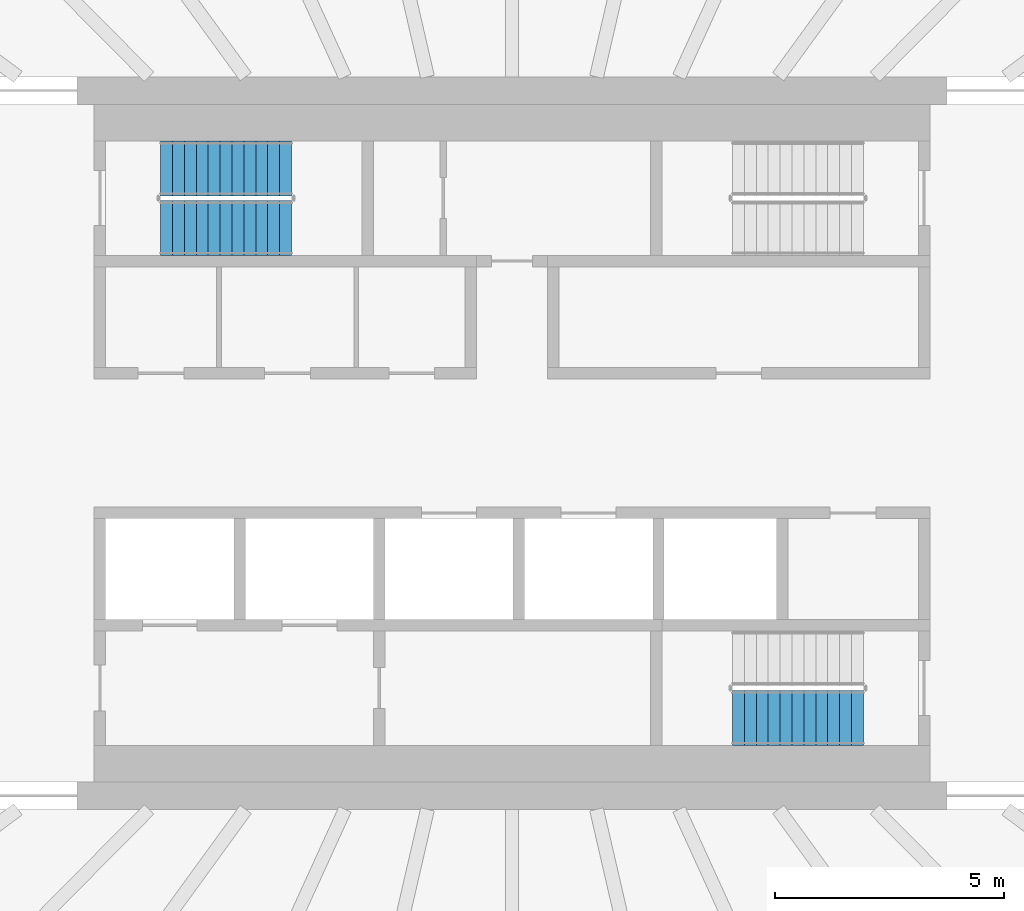
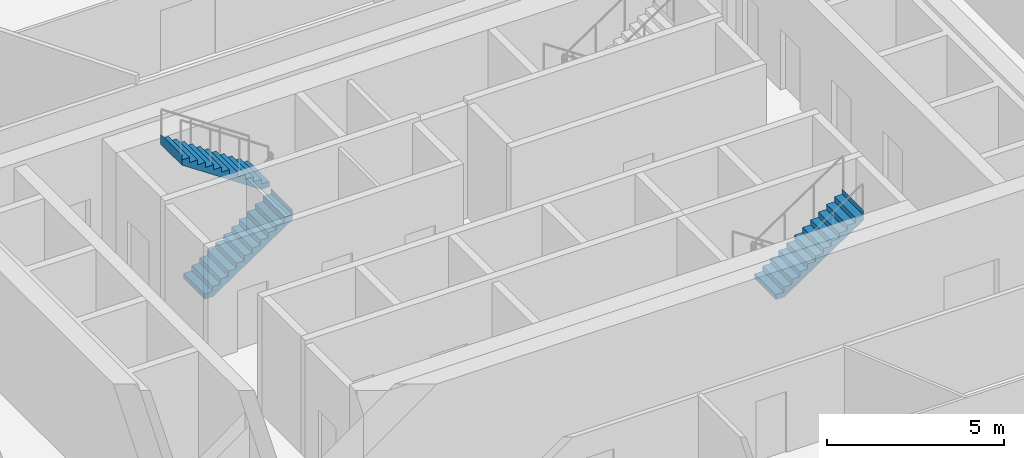
# One storey, part 18 of 25: 3 stair flights, 2 elements without a shape of their own.
"""IFC4 building model written with IfcOpenShell, lengths in metres."""

from ifc_helpers import new_model, si_unit, direction, frame, origin, place, context, subcontext, project, spatial, triangles, material, type_object, element, aggregate, save


model = new_model("IFC4")

# Units and contexts
model_context = context("Model", 3, precision=1e-05, world=origin(), true_north=direction((0.0, 1.0)))
body_context = subcontext(model_context, "Body", "Model", "MODEL_VIEW")
ifc_project = project(units=[si_unit("LENGTHUNIT", "METRE"), si_unit("AREAUNIT", "SQUARE_METRE"), si_unit("VOLUMEUNIT", "CUBIC_METRE"), si_unit("PLANEANGLEUNIT", "RADIAN"), si_unit("MASSUNIT", "GRAM", prefix="KILO")], contexts=[model_context])

# Site, building, storey
site_placement = place(None, origin())
site = spatial("IfcSite", under=ifc_project, at=site_placement, CompositionType="ELEMENT")
building_placement = place(site_placement, origin())
building = spatial("IfcBuilding", under=site, at=building_placement, Name="Sahrelin Media Tower", CompositionType="ELEMENT")
storey_placement = place(building_placement, frame((0.0, 0.0, 139.800048828125)))
storey = spatial("IfcBuildingStorey", under=building, at=storey_placement, Name="L28", CompositionType="ELEMENT", Elevation=139.800048828125)

# Stair, stair flights
ifc_material = material(Name="Concrete C40/50", Category="concrete")
stair_type = type_object("IfcStairType", Name="Exit stair 1200", PredefinedType="HALF_TURN_STAIR", material=ifc_material)
placement = place(storey_placement, origin())
stair_1 = element("IfcStair", 1, at=placement, inside=storey, type_object=stair_type, Name="L28 Exit stair ST1", PredefinedType="HALF_TURN_STAIR")
stair_flight_type = type_object("IfcStairFlightType", Name="Stair flight 1200", PredefinedType="STRAIGHT", material=ifc_material)
stair_flight_1_placement = place(storey_placement, frame((-7.675048828125, 4.699951171875, 0.0), z_axis=(0.0, 0.0, 1.0), x_axis=(1.0, 0.0, 0.0)))
stair_flight_1 = element("IfcStairFlight", 2, at=stair_flight_1_placement, type_object=stair_flight_type, Name="ST1 flight 1", NumberOfRisers=12, NumberOfTreads=11, PredefinedType="STRAIGHT", RiserHeight=0.175, TreadLength=0.26, context=body_context, shape_type="Tessellation", body=[
    triangles([(0.2685546875, 0.60009765625, 0.0), (0.2685546875, 0.300048828125, 0.0), (0.2685546875, 0.0, 0.0), (0.2685546875, -0.300048828125, 0.0), (0.2685546875, -0.60009765625, 0.0), (2.860107421875, 0.60009765625, 1.744384765625), (2.860107421875, 0.300048828125, 1.744384765625), (2.860107421875, 0.0, 1.744384765625), (2.860107421875, -0.300048828125, 1.744384765625), (2.860107421875, -0.60009765625, 1.744384765625), (2.860107421875, 0.60009765625, 2.10009765625), (2.860107421875, 0.300048828125, 2.10009765625), (2.860107421875, 0.0, 2.10009765625), (2.860107421875, -0.300048828125, 2.10009765625), (2.860107421875, -0.60009765625, 2.10009765625), (2.85791015625, 0.60009765625, 2.10009765625), (2.85791015625, 0.300048828125, 2.10009765625), (2.85791015625, 0.0, 2.10009765625), (2.85791015625, -0.300048828125, 2.10009765625), (2.85791015625, -0.60009765625, 2.10009765625), (2.85791015625, 0.60009765625, 1.925048828125), (2.85791015625, 0.300048828125, 1.925048828125), (2.85791015625, 0.0, 1.925048828125), (2.85791015625, -0.300048828125, 1.925048828125), (2.85791015625, -0.60009765625, 1.925048828125), (2.60009765625, 0.60009765625, 1.925048828125), (2.60009765625, 0.300048828125, 1.925048828125), (2.60009765625, 0.0, 1.925048828125), (2.60009765625, -0.300048828125, 1.925048828125), (2.60009765625, -0.60009765625, 1.925048828125), (2.60009765625, 0.60009765625, 1.75), (2.60009765625, 0.300048828125, 1.75), (2.60009765625, 0.0, 1.75), (2.60009765625, -0.300048828125, 1.75), (2.60009765625, -0.60009765625, 1.75), (2.340087890625, 0.60009765625, 1.75), (2.340087890625, 0.300048828125, 1.75), (2.340087890625, 0.0, 1.75), (2.340087890625, -0.300048828125, 1.75), (2.340087890625, -0.60009765625, 1.75), (2.340087890625, 0.60009765625, 1.574951171875), (2.340087890625, 0.300048828125, 1.574951171875), (2.340087890625, 0.0, 1.574951171875), (2.340087890625, -0.300048828125, 1.574951171875), (2.340087890625, -0.60009765625, 1.574951171875), (2.080078125, 0.60009765625, 1.574951171875), (2.080078125, 0.300048828125, 1.574951171875), (2.080078125, 0.0, 1.574951171875), (2.080078125, -0.300048828125, 1.574951171875), (2.080078125, -0.60009765625, 1.574951171875), (2.080078125, 0.60009765625, 1.39990234375), (2.080078125, 0.300048828125, 1.39990234375), (2.080078125, 0.0, 1.39990234375), (2.080078125, -0.300048828125, 1.39990234375), (2.080078125, -0.60009765625, 1.39990234375), (1.820068359375, 0.60009765625, 1.39990234375), (1.820068359375, 0.300048828125, 1.39990234375), (1.820068359375, 0.0, 1.39990234375), (1.820068359375, -0.300048828125, 1.39990234375), (1.820068359375, -0.60009765625, 1.39990234375), (1.820068359375, 0.60009765625, 1.22509765625), (1.820068359375, 0.300048828125, 1.22509765625), (1.820068359375, 0.0, 1.22509765625), (1.820068359375, -0.300048828125, 1.22509765625), (1.820068359375, -0.60009765625, 1.22509765625), (1.56005859375, 0.60009765625, 1.22509765625), (1.56005859375, 0.300048828125, 1.22509765625), (1.56005859375, 0.0, 1.22509765625), (1.56005859375, -0.300048828125, 1.22509765625), (1.56005859375, -0.60009765625, 1.22509765625), (1.56005859375, 0.60009765625, 1.050048828125), (1.56005859375, 0.300048828125, 1.050048828125), (1.56005859375, 0.0, 1.050048828125), (1.56005859375, -0.300048828125, 1.050048828125), (1.56005859375, -0.60009765625, 1.050048828125), (1.300048828125, 0.60009765625, 1.050048828125), (1.300048828125, 0.300048828125, 1.050048828125), (1.300048828125, 0.0, 1.050048828125), (1.300048828125, -0.300048828125, 1.050048828125), (1.300048828125, -0.60009765625, 1.050048828125), (1.300048828125, 0.60009765625, 0.875), (1.300048828125, 0.300048828125, 0.875), (1.300048828125, 0.0, 0.875), (1.300048828125, -0.300048828125, 0.875), (1.300048828125, -0.60009765625, 0.875), (1.0400390625, 0.60009765625, 0.875), (1.0400390625, 0.300048828125, 0.875), (1.0400390625, 0.0, 0.875), (1.0400390625, -0.300048828125, 0.875), (1.0400390625, -0.60009765625, 0.875), (1.0400390625, 0.60009765625, 0.699951171875), (1.0400390625, 0.300048828125, 0.699951171875), (1.0400390625, 0.0, 0.699951171875), (1.0400390625, -0.300048828125, 0.699951171875), (1.0400390625, -0.60009765625, 0.699951171875), (0.780029296875, 0.60009765625, 0.699951171875), (0.780029296875, 0.300048828125, 0.699951171875), (0.780029296875, 0.0, 0.699951171875), (0.780029296875, -0.300048828125, 0.699951171875), (0.780029296875, -0.60009765625, 0.699951171875), (0.780029296875, 0.60009765625, 0.52490234375), (0.780029296875, 0.300048828125, 0.52490234375), (0.780029296875, 0.0, 0.52490234375), (0.780029296875, -0.300048828125, 0.52490234375), (0.780029296875, -0.60009765625, 0.52490234375), (0.52001953125, 0.60009765625, 0.52490234375), (0.52001953125, 0.300048828125, 0.52490234375), (0.52001953125, 0.0, 0.52490234375), (0.52001953125, -0.300048828125, 0.52490234375), (0.52001953125, -0.60009765625, 0.52490234375), (0.52001953125, 0.60009765625, 0.35009765625), (0.52001953125, 0.300048828125, 0.35009765625), (0.52001953125, 0.0, 0.35009765625), (0.52001953125, -0.300048828125, 0.35009765625), (0.52001953125, -0.60009765625, 0.35009765625), (0.260009765625, 0.60009765625, 0.35009765625), (0.260009765625, 0.300048828125, 0.35009765625), (0.260009765625, 0.0, 0.35009765625), (0.260009765625, -0.300048828125, 0.35009765625), (0.260009765625, -0.60009765625, 0.35009765625), (0.260009765625, 0.60009765625, 0.175048828125), (0.260009765625, 0.300048828125, 0.175048828125), (0.260009765625, 0.0, 0.175048828125), (0.260009765625, -0.300048828125, 0.175048828125), (0.260009765625, -0.60009765625, 0.175048828125), (0.0, 0.60009765625, 0.175048828125), (0.0, 0.300048828125, 0.175048828125), (0.0, 0.0, 0.175048828125), (0.0, -0.300048828125, 0.175048828125), (0.0, -0.60009765625, 0.175048828125), (0.0, 0.60009765625, 0.0), (0.0, 0.300048828125, 0.0), (0.0, 0.0, 0.0), (0.0, -0.300048828125, 0.0), (0.0, -0.60009765625, 0.0)], [[1, 6, 7], [1, 7, 2], [2, 7, 8], [2, 8, 3], [3, 8, 9], [3, 9, 4], [4, 9, 10], [4, 10, 5], [6, 11, 12], [6, 12, 7], [7, 12, 13], [7, 13, 8], [8, 13, 14], [8, 14, 9], [9, 14, 15], [9, 15, 10], [11, 16, 17], [11, 17, 12], [12, 17, 18], [12, 18, 13], [13, 18, 19], [13, 19, 14], [14, 19, 20], [14, 20, 15], [16, 21, 22], [16, 22, 17], [17, 22, 23], [17, 23, 18], [18, 23, 24], [18, 24, 19], [19, 24, 25], [19, 25, 20], [21, 26, 27], [21, 27, 22], [22, 27, 28], [22, 28, 23], [23, 28, 29], [23, 29, 24], [24, 29, 30], [24, 30, 25], [26, 31, 32], [26, 32, 27], [27, 32, 33], [27, 33, 28], [28, 33, 34], [28, 34, 29], [29, 34, 35], [29, 35, 30], [31, 36, 37], [31, 37, 32], [32, 37, 38], [32, 38, 33], [33, 38, 39], [33, 39, 34], [34, 39, 40], [34, 40, 35], [36, 41, 42], [36, 42, 37], [37, 42, 43], [37, 43, 38], [38, 43, 44], [38, 44, 39], [39, 44, 45], [39, 45, 40], [41, 46, 47], [41, 47, 42], [42, 47, 48], [42, 48, 43], [43, 48, 49], [43, 49, 44], [44, 49, 50], [44, 50, 45], [46, 51, 52], [46, 52, 47], [47, 52, 53], [47, 53, 48], [48, 53, 54], [48, 54, 49], [49, 54, 55], [49, 55, 50], [51, 56, 57], [51, 57, 52], [52, 57, 58], [52, 58, 53], [53, 58, 59], [53, 59, 54], [54, 59, 60], [54, 60, 55], [56, 61, 62], [56, 62, 57], [57, 62, 63], [57, 63, 58], [58, 63, 64], [58, 64, 59], [59, 64, 65], [59, 65, 60], [61, 66, 67], [61, 67, 62], [62, 67, 68], [62, 68, 63], [63, 68, 69], [63, 69, 64], [64, 69, 70], [64, 70, 65], [66, 71, 72], [66, 72, 67], [67, 72, 73], [67, 73, 68], [68, 73, 74], [68, 74, 69], [69, 74, 75], [69, 75, 70], [71, 76, 77], [71, 77, 72], [72, 77, 78], [72, 78, 73], [73, 78, 79], [73, 79, 74], [74, 79, 80], [74, 80, 75], [76, 81, 82], [76, 82, 77], [77, 82, 83], [77, 83, 78], [78, 83, 84], [78, 84, 79], [79, 84, 85], [79, 85, 80], [81, 86, 87], [81, 87, 82], [82, 87, 88], [82, 88, 83], [83, 88, 89], [83, 89, 84], [84, 89, 90], [84, 90, 85], [86, 91, 92], [86, 92, 87], [87, 92, 93], [87, 93, 88], [88, 93, 94], [88, 94, 89], [89, 94, 95], [89, 95, 90], [91, 96, 97], [91, 97, 92], [92, 97, 98], [92, 98, 93], [93, 98, 99], [93, 99, 94], [94, 99, 100], [94, 100, 95], [96, 101, 102], [96, 102, 97], [97, 102, 103], [97, 103, 98], [98, 103, 104], [98, 104, 99], [99, 104, 105], [99, 105, 100], [101, 106, 107], [101, 107, 102], [102, 107, 108], [102, 108, 103], [103, 108, 109], [103, 109, 104], [104, 109, 110], [104, 110, 105], [106, 111, 112], [106, 112, 107], [107, 112, 113], [107, 113, 108], [108, 113, 114], [108, 114, 109], [109, 114, 115], [109, 115, 110], [111, 116, 117], [111, 117, 112], [112, 117, 118], [112, 118, 113], [113, 118, 119], [113, 119, 114], [114, 119, 120], [114, 120, 115], [116, 121, 122], [116, 122, 117], [117, 122, 123], [117, 123, 118], [118, 123, 124], [118, 124, 119], [119, 124, 125], [119, 125, 120], [121, 126, 127], [121, 127, 122], [122, 127, 128], [122, 128, 123], [123, 128, 129], [123, 129, 124], [124, 129, 130], [124, 130, 125], [126, 131, 132], [126, 132, 127], [127, 132, 133], [127, 133, 128], [128, 133, 134], [128, 134, 129], [129, 134, 135], [129, 135, 130], [131, 1, 2], [131, 2, 132], [132, 2, 3], [132, 3, 133], [133, 3, 4], [133, 4, 134], [134, 4, 5], [134, 5, 135], [125, 130, 135], [121, 131, 126], [125, 115, 120], [121, 116, 111], [115, 105, 110], [111, 106, 101], [105, 95, 100], [101, 96, 91], [95, 85, 90], [91, 86, 81], [85, 75, 80], [81, 76, 71], [75, 65, 70], [71, 66, 61], [65, 55, 60], [61, 56, 51], [55, 45, 50], [51, 46, 41], [45, 35, 40], [41, 36, 31], [35, 25, 30], [31, 26, 21], [25, 15, 20], [21, 16, 11], [135, 5, 125], [131, 121, 1], [95, 105, 5], [91, 1, 101], [5, 10, 75], [1, 71, 6], [10, 35, 45], [6, 41, 31], [25, 10, 15], [21, 11, 6], [115, 125, 5], [111, 1, 121], [75, 85, 5], [71, 1, 81], [35, 10, 25], [31, 21, 6], [105, 115, 5], [101, 1, 111], [45, 55, 10], [41, 6, 51], [85, 95, 5], [81, 1, 91], [65, 10, 55], [61, 51, 6], [10, 65, 75], [6, 71, 61]], closed=True),
])
stair_flight_2_placement = place(storey_placement, frame((-4.81494140625, 6.0, 2.099853515625), z_axis=(0.0, 0.0, 1.0), x_axis=(-1.0, 0.0, 0.0)))
stair_flight_2 = element("IfcStairFlight", 3, at=stair_flight_2_placement, type_object=stair_flight_type, Name="ST1 flight 2", NumberOfRisers=12, NumberOfTreads=11, PredefinedType="STRAIGHT", RiserHeight=0.175, TreadLength=0.26, context=body_context, shape_type="Tessellation", body=[
    triangles([(0.2685546875, 0.60009765625, 0.0), (0.2685546875, 0.300048828125, 0.0), (0.2685546875, 0.0, 0.0), (0.2685546875, -0.300048828125, 0.0), (0.2685546875, -0.60009765625, 0.0), (2.860107421875, 0.60009765625, 1.744384765625), (2.860107421875, 0.300048828125, 1.744384765625), (2.860107421875, 0.0, 1.744384765625), (2.860107421875, -0.300048828125, 1.744384765625), (2.860107421875, -0.60009765625, 1.744384765625), (2.860107421875, 0.60009765625, 2.10009765625), (2.860107421875, 0.300048828125, 2.10009765625), (2.860107421875, 0.0, 2.10009765625), (2.860107421875, -0.300048828125, 2.10009765625), (2.860107421875, -0.60009765625, 2.10009765625), (2.85791015625, 0.60009765625, 2.10009765625), (2.85791015625, 0.300048828125, 2.10009765625), (2.85791015625, 0.0, 2.10009765625), (2.85791015625, -0.300048828125, 2.10009765625), (2.85791015625, -0.60009765625, 2.10009765625), (2.85791015625, 0.60009765625, 1.925048828125), (2.85791015625, 0.300048828125, 1.925048828125), (2.85791015625, 0.0, 1.925048828125), (2.85791015625, -0.300048828125, 1.925048828125), (2.85791015625, -0.60009765625, 1.925048828125), (2.60009765625, 0.60009765625, 1.925048828125), (2.60009765625, 0.300048828125, 1.925048828125), (2.60009765625, 0.0, 1.925048828125), (2.60009765625, -0.300048828125, 1.925048828125), (2.60009765625, -0.60009765625, 1.925048828125), (2.60009765625, 0.60009765625, 1.75), (2.60009765625, 0.300048828125, 1.75), (2.60009765625, 0.0, 1.75), (2.60009765625, -0.300048828125, 1.75), (2.60009765625, -0.60009765625, 1.75), (2.340087890625, 0.60009765625, 1.75), (2.340087890625, 0.300048828125, 1.75), (2.340087890625, 0.0, 1.75), (2.340087890625, -0.300048828125, 1.75), (2.340087890625, -0.60009765625, 1.75), (2.340087890625, 0.60009765625, 1.574951171875), (2.340087890625, 0.300048828125, 1.574951171875), (2.340087890625, 0.0, 1.574951171875), (2.340087890625, -0.300048828125, 1.574951171875), (2.340087890625, -0.60009765625, 1.574951171875), (2.080078125, 0.60009765625, 1.574951171875), (2.080078125, 0.300048828125, 1.574951171875), (2.080078125, 0.0, 1.574951171875), (2.080078125, -0.300048828125, 1.574951171875), (2.080078125, -0.60009765625, 1.574951171875), (2.080078125, 0.60009765625, 1.39990234375), (2.080078125, 0.300048828125, 1.39990234375), (2.080078125, 0.0, 1.39990234375), (2.080078125, -0.300048828125, 1.39990234375), (2.080078125, -0.60009765625, 1.39990234375), (1.820068359375, 0.60009765625, 1.39990234375), (1.820068359375, 0.300048828125, 1.39990234375), (1.820068359375, 0.0, 1.39990234375), (1.820068359375, -0.300048828125, 1.39990234375), (1.820068359375, -0.60009765625, 1.39990234375), (1.820068359375, 0.60009765625, 1.22509765625), (1.820068359375, 0.300048828125, 1.22509765625), (1.820068359375, 0.0, 1.22509765625), (1.820068359375, -0.300048828125, 1.22509765625), (1.820068359375, -0.60009765625, 1.22509765625), (1.56005859375, 0.60009765625, 1.22509765625), (1.56005859375, 0.300048828125, 1.22509765625), (1.56005859375, 0.0, 1.22509765625), (1.56005859375, -0.300048828125, 1.22509765625), (1.56005859375, -0.60009765625, 1.22509765625), (1.56005859375, 0.60009765625, 1.050048828125), (1.56005859375, 0.300048828125, 1.050048828125), (1.56005859375, 0.0, 1.050048828125), (1.56005859375, -0.300048828125, 1.050048828125), (1.56005859375, -0.60009765625, 1.050048828125), (1.300048828125, 0.60009765625, 1.050048828125), (1.300048828125, 0.300048828125, 1.050048828125), (1.300048828125, 0.0, 1.050048828125), (1.300048828125, -0.300048828125, 1.050048828125), (1.300048828125, -0.60009765625, 1.050048828125), (1.300048828125, 0.60009765625, 0.875), (1.300048828125, 0.300048828125, 0.875), (1.300048828125, 0.0, 0.875), (1.300048828125, -0.300048828125, 0.875), (1.300048828125, -0.60009765625, 0.875), (1.0400390625, 0.60009765625, 0.875), (1.0400390625, 0.300048828125, 0.875), (1.0400390625, 0.0, 0.875), (1.0400390625, -0.300048828125, 0.875), (1.0400390625, -0.60009765625, 0.875), (1.0400390625, 0.60009765625, 0.699951171875), (1.0400390625, 0.300048828125, 0.699951171875), (1.0400390625, 0.0, 0.699951171875), (1.0400390625, -0.300048828125, 0.699951171875), (1.0400390625, -0.60009765625, 0.699951171875), (0.780029296875, 0.60009765625, 0.699951171875), (0.780029296875, 0.300048828125, 0.699951171875), (0.780029296875, 0.0, 0.699951171875), (0.780029296875, -0.300048828125, 0.699951171875), (0.780029296875, -0.60009765625, 0.699951171875), (0.780029296875, 0.60009765625, 0.52490234375), (0.780029296875, 0.300048828125, 0.52490234375), (0.780029296875, 0.0, 0.52490234375), (0.780029296875, -0.300048828125, 0.52490234375), (0.780029296875, -0.60009765625, 0.52490234375), (0.52001953125, 0.60009765625, 0.52490234375), (0.52001953125, 0.300048828125, 0.52490234375), (0.52001953125, 0.0, 0.52490234375), (0.52001953125, -0.300048828125, 0.52490234375), (0.52001953125, -0.60009765625, 0.52490234375), (0.52001953125, 0.60009765625, 0.35009765625), (0.52001953125, 0.300048828125, 0.35009765625), (0.52001953125, 0.0, 0.35009765625), (0.52001953125, -0.300048828125, 0.35009765625), (0.52001953125, -0.60009765625, 0.35009765625), (0.260009765625, 0.60009765625, 0.35009765625), (0.260009765625, 0.300048828125, 0.35009765625), (0.260009765625, 0.0, 0.35009765625), (0.260009765625, -0.300048828125, 0.35009765625), (0.260009765625, -0.60009765625, 0.35009765625), (0.260009765625, 0.60009765625, 0.175048828125), (0.260009765625, 0.300048828125, 0.175048828125), (0.260009765625, 0.0, 0.175048828125), (0.260009765625, -0.300048828125, 0.175048828125), (0.260009765625, -0.60009765625, 0.175048828125), (0.0, 0.60009765625, 0.175048828125), (0.0, 0.300048828125, 0.175048828125), (0.0, 0.0, 0.175048828125), (0.0, -0.300048828125, 0.175048828125), (0.0, -0.60009765625, 0.175048828125), (0.0, 0.60009765625, 0.0), (0.0, 0.300048828125, 0.0), (0.0, 0.0, 0.0), (0.0, -0.300048828125, 0.0), (0.0, -0.60009765625, 0.0)], [[1, 6, 7], [1, 7, 2], [2, 7, 8], [2, 8, 3], [3, 8, 9], [3, 9, 4], [4, 9, 10], [4, 10, 5], [6, 11, 12], [6, 12, 7], [7, 12, 13], [7, 13, 8], [8, 13, 14], [8, 14, 9], [9, 14, 15], [9, 15, 10], [11, 16, 17], [11, 17, 12], [12, 17, 18], [12, 18, 13], [13, 18, 19], [13, 19, 14], [14, 19, 20], [14, 20, 15], [16, 21, 22], [16, 22, 17], [17, 22, 23], [17, 23, 18], [18, 23, 24], [18, 24, 19], [19, 24, 25], [19, 25, 20], [21, 26, 27], [21, 27, 22], [22, 27, 28], [22, 28, 23], [23, 28, 29], [23, 29, 24], [24, 29, 30], [24, 30, 25], [26, 31, 32], [26, 32, 27], [27, 32, 33], [27, 33, 28], [28, 33, 34], [28, 34, 29], [29, 34, 35], [29, 35, 30], [31, 36, 37], [31, 37, 32], [32, 37, 38], [32, 38, 33], [33, 38, 39], [33, 39, 34], [34, 39, 40], [34, 40, 35], [36, 41, 42], [36, 42, 37], [37, 42, 43], [37, 43, 38], [38, 43, 44], [38, 44, 39], [39, 44, 45], [39, 45, 40], [41, 46, 47], [41, 47, 42], [42, 47, 48], [42, 48, 43], [43, 48, 49], [43, 49, 44], [44, 49, 50], [44, 50, 45], [46, 51, 52], [46, 52, 47], [47, 52, 53], [47, 53, 48], [48, 53, 54], [48, 54, 49], [49, 54, 55], [49, 55, 50], [51, 56, 57], [51, 57, 52], [52, 57, 58], [52, 58, 53], [53, 58, 59], [53, 59, 54], [54, 59, 60], [54, 60, 55], [56, 61, 62], [56, 62, 57], [57, 62, 63], [57, 63, 58], [58, 63, 64], [58, 64, 59], [59, 64, 65], [59, 65, 60], [61, 66, 67], [61, 67, 62], [62, 67, 68], [62, 68, 63], [63, 68, 69], [63, 69, 64], [64, 69, 70], [64, 70, 65], [66, 71, 72], [66, 72, 67], [67, 72, 73], [67, 73, 68], [68, 73, 74], [68, 74, 69], [69, 74, 75], [69, 75, 70], [71, 76, 77], [71, 77, 72], [72, 77, 78], [72, 78, 73], [73, 78, 79], [73, 79, 74], [74, 79, 80], [74, 80, 75], [76, 81, 82], [76, 82, 77], [77, 82, 83], [77, 83, 78], [78, 83, 84], [78, 84, 79], [79, 84, 85], [79, 85, 80], [81, 86, 87], [81, 87, 82], [82, 87, 88], [82, 88, 83], [83, 88, 89], [83, 89, 84], [84, 89, 90], [84, 90, 85], [86, 91, 92], [86, 92, 87], [87, 92, 93], [87, 93, 88], [88, 93, 94], [88, 94, 89], [89, 94, 95], [89, 95, 90], [91, 96, 97], [91, 97, 92], [92, 97, 98], [92, 98, 93], [93, 98, 99], [93, 99, 94], [94, 99, 100], [94, 100, 95], [96, 101, 102], [96, 102, 97], [97, 102, 103], [97, 103, 98], [98, 103, 104], [98, 104, 99], [99, 104, 105], [99, 105, 100], [101, 106, 107], [101, 107, 102], [102, 107, 108], [102, 108, 103], [103, 108, 109], [103, 109, 104], [104, 109, 110], [104, 110, 105], [106, 111, 112], [106, 112, 107], [107, 112, 113], [107, 113, 108], [108, 113, 114], [108, 114, 109], [109, 114, 115], [109, 115, 110], [111, 116, 117], [111, 117, 112], [112, 117, 118], [112, 118, 113], [113, 118, 119], [113, 119, 114], [114, 119, 120], [114, 120, 115], [116, 121, 122], [116, 122, 117], [117, 122, 123], [117, 123, 118], [118, 123, 124], [118, 124, 119], [119, 124, 125], [119, 125, 120], [121, 126, 127], [121, 127, 122], [122, 127, 128], [122, 128, 123], [123, 128, 129], [123, 129, 124], [124, 129, 130], [124, 130, 125], [126, 131, 132], [126, 132, 127], [127, 132, 133], [127, 133, 128], [128, 133, 134], [128, 134, 129], [129, 134, 135], [129, 135, 130], [131, 1, 2], [131, 2, 132], [132, 2, 3], [132, 3, 133], [133, 3, 4], [133, 4, 134], [134, 4, 5], [134, 5, 135], [125, 130, 135], [121, 131, 126], [125, 115, 120], [121, 116, 111], [115, 105, 110], [111, 106, 101], [105, 95, 100], [101, 96, 91], [95, 85, 90], [91, 86, 81], [85, 75, 80], [81, 76, 71], [75, 65, 70], [71, 66, 61], [65, 55, 60], [61, 56, 51], [55, 45, 50], [51, 46, 41], [45, 35, 40], [41, 36, 31], [35, 25, 30], [31, 26, 21], [25, 15, 20], [21, 16, 11], [135, 5, 125], [131, 121, 1], [95, 105, 5], [91, 1, 101], [5, 10, 75], [1, 71, 6], [10, 35, 45], [6, 41, 31], [25, 10, 15], [21, 11, 6], [115, 125, 5], [111, 1, 121], [75, 85, 5], [71, 1, 81], [35, 10, 25], [31, 21, 6], [105, 115, 5], [101, 1, 111], [45, 55, 10], [41, 6, 51], [85, 95, 5], [81, 1, 91], [65, 10, 55], [61, 51, 6], [10, 65, 75], [6, 71, 61]], closed=True),
])
aggregate(stair_1, [stair_flight_1, stair_flight_2])

# Stair, stair flight
stair_2 = element("IfcStair", 4, at=placement, inside=storey, type_object=stair_type, Name="L28 Exit stair ST2", PredefinedType="HALF_TURN_STAIR")
stair_flight_3_placement = place(storey_placement, frame((4.81494140625, -6.0, 2.099853515625), z_axis=(0.0, 0.0, 1.0), x_axis=(1.0, 0.0, 0.0)))
stair_flight_3 = element("IfcStairFlight", 5, at=stair_flight_3_placement, type_object=stair_flight_type, Name="ST2 flight 2", NumberOfRisers=12, NumberOfTreads=11, PredefinedType="STRAIGHT", RiserHeight=0.175, TreadLength=0.26, context=body_context, shape_type="Tessellation", body=[
    triangles([(0.2685546875, 0.60009765625, 0.0), (0.2685546875, 0.300048828125, 0.0), (0.2685546875, 0.0, 0.0), (0.2685546875, -0.300048828125, 0.0), (0.2685546875, -0.60009765625, 0.0), (2.860107421875, 0.60009765625, 1.744384765625), (2.860107421875, 0.300048828125, 1.744384765625), (2.860107421875, 0.0, 1.744384765625), (2.860107421875, -0.300048828125, 1.744384765625), (2.860107421875, -0.60009765625, 1.744384765625), (2.860107421875, 0.60009765625, 2.10009765625), (2.860107421875, 0.300048828125, 2.10009765625), (2.860107421875, 0.0, 2.10009765625), (2.860107421875, -0.300048828125, 2.10009765625), (2.860107421875, -0.60009765625, 2.10009765625), (2.85791015625, 0.60009765625, 2.10009765625), (2.85791015625, 0.300048828125, 2.10009765625), (2.85791015625, 0.0, 2.10009765625), (2.85791015625, -0.300048828125, 2.10009765625), (2.85791015625, -0.60009765625, 2.10009765625), (2.85791015625, 0.60009765625, 1.925048828125), (2.85791015625, 0.300048828125, 1.925048828125), (2.85791015625, 0.0, 1.925048828125), (2.85791015625, -0.300048828125, 1.925048828125), (2.85791015625, -0.60009765625, 1.925048828125), (2.60009765625, 0.60009765625, 1.925048828125), (2.60009765625, 0.300048828125, 1.925048828125), (2.60009765625, 0.0, 1.925048828125), (2.60009765625, -0.300048828125, 1.925048828125), (2.60009765625, -0.60009765625, 1.925048828125), (2.60009765625, 0.60009765625, 1.75), (2.60009765625, 0.300048828125, 1.75), (2.60009765625, 0.0, 1.75), (2.60009765625, -0.300048828125, 1.75), (2.60009765625, -0.60009765625, 1.75), (2.340087890625, 0.60009765625, 1.75), (2.340087890625, 0.300048828125, 1.75), (2.340087890625, 0.0, 1.75), (2.340087890625, -0.300048828125, 1.75), (2.340087890625, -0.60009765625, 1.75), (2.340087890625, 0.60009765625, 1.574951171875), (2.340087890625, 0.300048828125, 1.574951171875), (2.340087890625, 0.0, 1.574951171875), (2.340087890625, -0.300048828125, 1.574951171875), (2.340087890625, -0.60009765625, 1.574951171875), (2.080078125, 0.60009765625, 1.574951171875), (2.080078125, 0.300048828125, 1.574951171875), (2.080078125, 0.0, 1.574951171875), (2.080078125, -0.300048828125, 1.574951171875), (2.080078125, -0.60009765625, 1.574951171875), (2.080078125, 0.60009765625, 1.39990234375), (2.080078125, 0.300048828125, 1.39990234375), (2.080078125, 0.0, 1.39990234375), (2.080078125, -0.300048828125, 1.39990234375), (2.080078125, -0.60009765625, 1.39990234375), (1.820068359375, 0.60009765625, 1.39990234375), (1.820068359375, 0.300048828125, 1.39990234375), (1.820068359375, 0.0, 1.39990234375), (1.820068359375, -0.300048828125, 1.39990234375), (1.820068359375, -0.60009765625, 1.39990234375), (1.820068359375, 0.60009765625, 1.22509765625), (1.820068359375, 0.300048828125, 1.22509765625), (1.820068359375, 0.0, 1.22509765625), (1.820068359375, -0.300048828125, 1.22509765625), (1.820068359375, -0.60009765625, 1.22509765625), (1.56005859375, 0.60009765625, 1.22509765625), (1.56005859375, 0.300048828125, 1.22509765625), (1.56005859375, 0.0, 1.22509765625), (1.56005859375, -0.300048828125, 1.22509765625), (1.56005859375, -0.60009765625, 1.22509765625), (1.56005859375, 0.60009765625, 1.050048828125), (1.56005859375, 0.300048828125, 1.050048828125), (1.56005859375, 0.0, 1.050048828125), (1.56005859375, -0.300048828125, 1.050048828125), (1.56005859375, -0.60009765625, 1.050048828125), (1.300048828125, 0.60009765625, 1.050048828125), (1.300048828125, 0.300048828125, 1.050048828125), (1.300048828125, 0.0, 1.050048828125), (1.300048828125, -0.300048828125, 1.050048828125), (1.300048828125, -0.60009765625, 1.050048828125), (1.300048828125, 0.60009765625, 0.875), (1.300048828125, 0.300048828125, 0.875), (1.300048828125, 0.0, 0.875), (1.300048828125, -0.300048828125, 0.875), (1.300048828125, -0.60009765625, 0.875), (1.0400390625, 0.60009765625, 0.875), (1.0400390625, 0.300048828125, 0.875), (1.0400390625, 0.0, 0.875), (1.0400390625, -0.300048828125, 0.875), (1.0400390625, -0.60009765625, 0.875), (1.0400390625, 0.60009765625, 0.699951171875), (1.0400390625, 0.300048828125, 0.699951171875), (1.0400390625, 0.0, 0.699951171875), (1.0400390625, -0.300048828125, 0.699951171875), (1.0400390625, -0.60009765625, 0.699951171875), (0.780029296875, 0.60009765625, 0.699951171875), (0.780029296875, 0.300048828125, 0.699951171875), (0.780029296875, 0.0, 0.699951171875), (0.780029296875, -0.300048828125, 0.699951171875), (0.780029296875, -0.60009765625, 0.699951171875), (0.780029296875, 0.60009765625, 0.52490234375), (0.780029296875, 0.300048828125, 0.52490234375), (0.780029296875, 0.0, 0.52490234375), (0.780029296875, -0.300048828125, 0.52490234375), (0.780029296875, -0.60009765625, 0.52490234375), (0.52001953125, 0.60009765625, 0.52490234375), (0.52001953125, 0.300048828125, 0.52490234375), (0.52001953125, 0.0, 0.52490234375), (0.52001953125, -0.300048828125, 0.52490234375), (0.52001953125, -0.60009765625, 0.52490234375), (0.52001953125, 0.60009765625, 0.35009765625), (0.52001953125, 0.300048828125, 0.35009765625), (0.52001953125, 0.0, 0.35009765625), (0.52001953125, -0.300048828125, 0.35009765625), (0.52001953125, -0.60009765625, 0.35009765625), (0.260009765625, 0.60009765625, 0.35009765625), (0.260009765625, 0.300048828125, 0.35009765625), (0.260009765625, 0.0, 0.35009765625), (0.260009765625, -0.300048828125, 0.35009765625), (0.260009765625, -0.60009765625, 0.35009765625), (0.260009765625, 0.60009765625, 0.175048828125), (0.260009765625, 0.300048828125, 0.175048828125), (0.260009765625, 0.0, 0.175048828125), (0.260009765625, -0.300048828125, 0.175048828125), (0.260009765625, -0.60009765625, 0.175048828125), (0.0, 0.60009765625, 0.175048828125), (0.0, 0.300048828125, 0.175048828125), (0.0, 0.0, 0.175048828125), (0.0, -0.300048828125, 0.175048828125), (0.0, -0.60009765625, 0.175048828125), (0.0, 0.60009765625, 0.0), (0.0, 0.300048828125, 0.0), (0.0, 0.0, 0.0), (0.0, -0.300048828125, 0.0), (0.0, -0.60009765625, 0.0)], [[1, 6, 7], [1, 7, 2], [2, 7, 8], [2, 8, 3], [3, 8, 9], [3, 9, 4], [4, 9, 10], [4, 10, 5], [6, 11, 12], [6, 12, 7], [7, 12, 13], [7, 13, 8], [8, 13, 14], [8, 14, 9], [9, 14, 15], [9, 15, 10], [11, 16, 17], [11, 17, 12], [12, 17, 18], [12, 18, 13], [13, 18, 19], [13, 19, 14], [14, 19, 20], [14, 20, 15], [16, 21, 22], [16, 22, 17], [17, 22, 23], [17, 23, 18], [18, 23, 24], [18, 24, 19], [19, 24, 25], [19, 25, 20], [21, 26, 27], [21, 27, 22], [22, 27, 28], [22, 28, 23], [23, 28, 29], [23, 29, 24], [24, 29, 30], [24, 30, 25], [26, 31, 32], [26, 32, 27], [27, 32, 33], [27, 33, 28], [28, 33, 34], [28, 34, 29], [29, 34, 35], [29, 35, 30], [31, 36, 37], [31, 37, 32], [32, 37, 38], [32, 38, 33], [33, 38, 39], [33, 39, 34], [34, 39, 40], [34, 40, 35], [36, 41, 42], [36, 42, 37], [37, 42, 43], [37, 43, 38], [38, 43, 44], [38, 44, 39], [39, 44, 45], [39, 45, 40], [41, 46, 47], [41, 47, 42], [42, 47, 48], [42, 48, 43], [43, 48, 49], [43, 49, 44], [44, 49, 50], [44, 50, 45], [46, 51, 52], [46, 52, 47], [47, 52, 53], [47, 53, 48], [48, 53, 54], [48, 54, 49], [49, 54, 55], [49, 55, 50], [51, 56, 57], [51, 57, 52], [52, 57, 58], [52, 58, 53], [53, 58, 59], [53, 59, 54], [54, 59, 60], [54, 60, 55], [56, 61, 62], [56, 62, 57], [57, 62, 63], [57, 63, 58], [58, 63, 64], [58, 64, 59], [59, 64, 65], [59, 65, 60], [61, 66, 67], [61, 67, 62], [62, 67, 68], [62, 68, 63], [63, 68, 69], [63, 69, 64], [64, 69, 70], [64, 70, 65], [66, 71, 72], [66, 72, 67], [67, 72, 73], [67, 73, 68], [68, 73, 74], [68, 74, 69], [69, 74, 75], [69, 75, 70], [71, 76, 77], [71, 77, 72], [72, 77, 78], [72, 78, 73], [73, 78, 79], [73, 79, 74], [74, 79, 80], [74, 80, 75], [76, 81, 82], [76, 82, 77], [77, 82, 83], [77, 83, 78], [78, 83, 84], [78, 84, 79], [79, 84, 85], [79, 85, 80], [81, 86, 87], [81, 87, 82], [82, 87, 88], [82, 88, 83], [83, 88, 89], [83, 89, 84], [84, 89, 90], [84, 90, 85], [86, 91, 92], [86, 92, 87], [87, 92, 93], [87, 93, 88], [88, 93, 94], [88, 94, 89], [89, 94, 95], [89, 95, 90], [91, 96, 97], [91, 97, 92], [92, 97, 98], [92, 98, 93], [93, 98, 99], [93, 99, 94], [94, 99, 100], [94, 100, 95], [96, 101, 102], [96, 102, 97], [97, 102, 103], [97, 103, 98], [98, 103, 104], [98, 104, 99], [99, 104, 105], [99, 105, 100], [101, 106, 107], [101, 107, 102], [102, 107, 108], [102, 108, 103], [103, 108, 109], [103, 109, 104], [104, 109, 110], [104, 110, 105], [106, 111, 112], [106, 112, 107], [107, 112, 113], [107, 113, 108], [108, 113, 114], [108, 114, 109], [109, 114, 115], [109, 115, 110], [111, 116, 117], [111, 117, 112], [112, 117, 118], [112, 118, 113], [113, 118, 119], [113, 119, 114], [114, 119, 120], [114, 120, 115], [116, 121, 122], [116, 122, 117], [117, 122, 123], [117, 123, 118], [118, 123, 124], [118, 124, 119], [119, 124, 125], [119, 125, 120], [121, 126, 127], [121, 127, 122], [122, 127, 128], [122, 128, 123], [123, 128, 129], [123, 129, 124], [124, 129, 130], [124, 130, 125], [126, 131, 132], [126, 132, 127], [127, 132, 133], [127, 133, 128], [128, 133, 134], [128, 134, 129], [129, 134, 135], [129, 135, 130], [131, 1, 2], [131, 2, 132], [132, 2, 3], [132, 3, 133], [133, 3, 4], [133, 4, 134], [134, 4, 5], [134, 5, 135], [125, 130, 135], [121, 131, 126], [125, 115, 120], [121, 116, 111], [115, 105, 110], [111, 106, 101], [105, 95, 100], [101, 96, 91], [95, 85, 90], [91, 86, 81], [85, 75, 80], [81, 76, 71], [75, 65, 70], [71, 66, 61], [65, 55, 60], [61, 56, 51], [55, 45, 50], [51, 46, 41], [45, 35, 40], [41, 36, 31], [35, 25, 30], [31, 26, 21], [25, 15, 20], [21, 16, 11], [135, 5, 125], [131, 121, 1], [95, 105, 5], [91, 1, 101], [5, 10, 75], [1, 71, 6], [10, 35, 45], [6, 41, 31], [25, 10, 15], [21, 11, 6], [115, 125, 5], [111, 1, 121], [75, 85, 5], [71, 1, 81], [35, 10, 25], [31, 21, 6], [105, 115, 5], [101, 1, 111], [45, 55, 10], [41, 6, 51], [85, 95, 5], [81, 1, 91], [65, 10, 55], [61, 51, 6], [10, 65, 75], [6, 71, 61]], closed=True),
])
aggregate(stair_2, [stair_flight_3])

save(model, "model.ifc")
